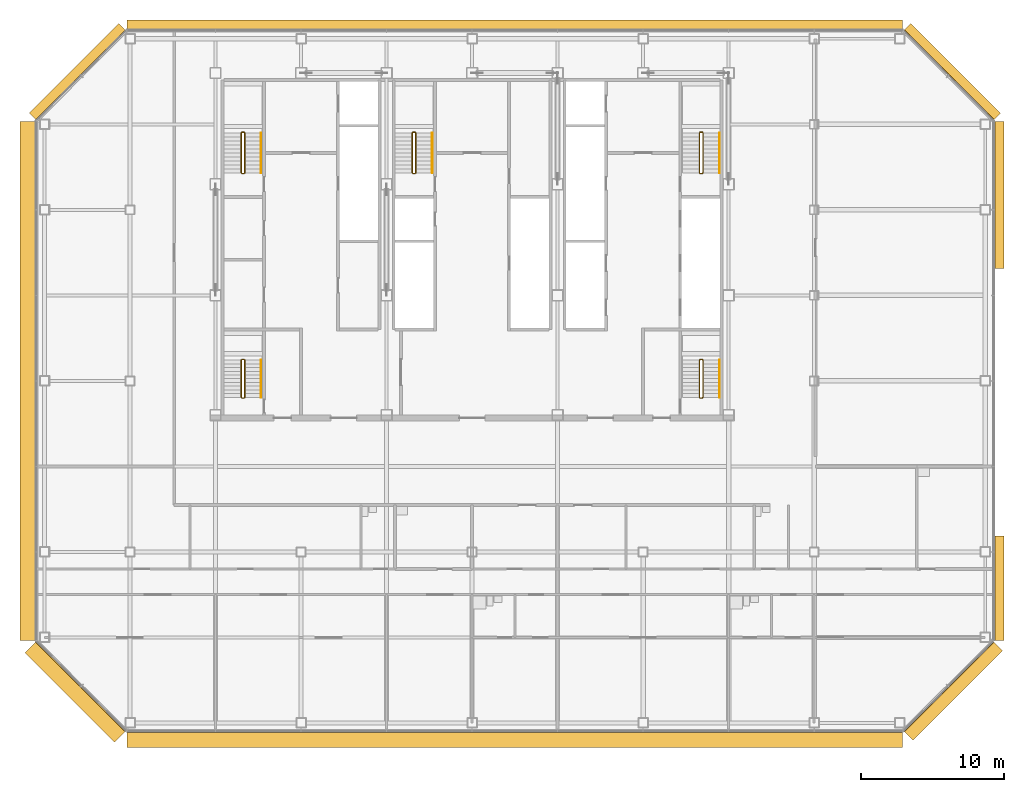
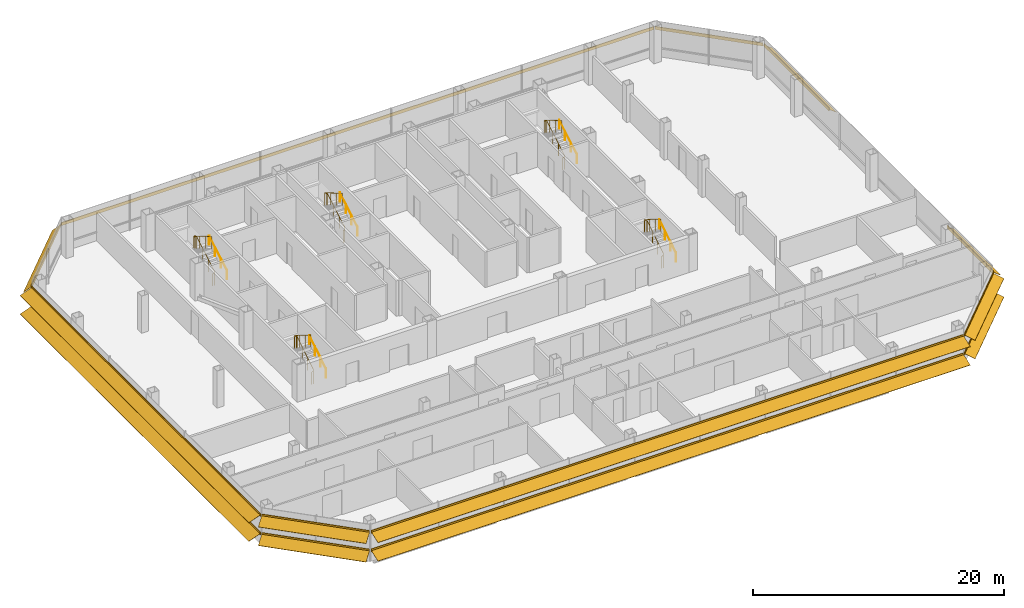
# One storey, part 23 of 24: 10 railings, 9 shading devices.
"""IFC4 building model written with IfcOpenShell, lengths in metres."""

from ifc_helpers import new_model, si_unit, direction, frame, origin, origin_2d, place, context, subcontext, project, spatial, polyline, circle, outline, composite_profile, extrude, material, type_object, element, save


model = new_model("IFC4")

# Units and contexts
model_context = context("Model", 3, precision=1e-05, world=origin(), true_north=direction((0.0, 1.0)))
body_context = subcontext(model_context, "Body", "Model", "MODEL_VIEW")
ifc_project = project(units=[si_unit("LENGTHUNIT", "METRE"), si_unit("AREAUNIT", "SQUARE_METRE"), si_unit("VOLUMEUNIT", "CUBIC_METRE"), si_unit("PLANEANGLEUNIT", "RADIAN"), si_unit("MASSUNIT", "GRAM", prefix="KILO")], contexts=[model_context])

# Site, building, storey
site_placement = place(None, origin())
site = spatial("IfcSite", under=ifc_project, at=site_placement, CompositionType="ELEMENT")
building_placement = place(site_placement, origin())
building = spatial("IfcBuilding", under=site, at=building_placement, Name="Sorahane Residences", CompositionType="ELEMENT")
storey_placement = place(building_placement, frame((0.0, 0.0, 170.800048828125)))
storey = spatial("IfcBuildingStorey", under=building, at=storey_placement, Name="L39", CompositionType="ELEMENT", Elevation=170.800048828125)

# Shading devices
ifc_material_1 = material(Name="Terracotta anodised aluminium", Category="masonry")
shading_device_type_1 = type_object("IfcShadingDeviceType", Name="Louvre sunshade blade E terracotta aluminium 700", PredefinedType="JALOUSIE", material=ifc_material_1)
shading_device_1_placement = place(storey_placement, frame((60.60009765625, 5.801513671875, 2.699951171875), z_axis=(0.0, 1.0, 0.0), x_axis=(-1.0, 0.0, 0.0)))
element("IfcShadingDevice", 1, at=shading_device_1_placement, inside=storey, type_object=shading_device_type_1, Name="Louvre sunshade blade bank E L39 E1", PredefinedType="JALOUSIE", context=body_context, shape_type="SweptSolid", body=[
    extrude(outline(polyline([(-0.719970703125, -0.49365234375), (-0.719970703125, -0.523681640625), (-0.080078125, -0.05859375), (-0.080078125, -0.14990234375), (-0.02001953125, -0.14990234375), (-0.02001953125, -0.014892578125), (-0.02001953125, 0.014892578125), (-0.02001953125, 0.14990234375), (-0.080078125, 0.14990234375), (-0.080078125, -0.028564453125), (-0.719970703125, -0.49365234375)])), origin(), (0.0, 0.0, 1.0), 7.3291015625),
])
shading_device_2_placement = place(storey_placement, frame((60.60009765625, 31.869384765625, 2.699951171875), z_axis=(0.0, 1.0, 0.0), x_axis=(-1.0, 0.0, 0.0)))
element("IfcShadingDevice", 2, at=shading_device_2_placement, inside=storey, type_object=shading_device_type_1, Name="Louvre sunshade blade bank E L39 E1 part 2", PredefinedType="JALOUSIE", context=body_context, shape_type="SweptSolid", body=[
    extrude(outline(polyline([(-0.719970703125, -0.49365234375), (-0.719970703125, -0.523681640625), (-0.080078125, -0.05859375), (-0.080078125, -0.14990234375), (-0.02001953125, -0.14990234375), (-0.02001953125, -0.014892578125), (-0.02001953125, 0.014892578125), (-0.02001953125, 0.14990234375), (-0.080078125, 0.14990234375), (-0.080078125, -0.028564453125), (-0.719970703125, -0.49365234375)])), origin(), (0.0, 0.0, 1.0), 10.3291015625),
])
ifc_material_2 = material(Name="Terracotta anodised aluminium", Category="masonry")
shading_device_type_2 = type_object("IfcShadingDeviceType", Name="Louvre sunshade blade N terracotta aluminium 700", PredefinedType="JALOUSIE", material=ifc_material_2)
shading_device_3_placement = place(storey_placement, frame((54.198486328125, 48.60009765625, 2.699951171875), z_axis=(-1.0, 0.0, 0.0), x_axis=(0.0, -1.0, 0.0)))
element("IfcShadingDevice", 3, at=shading_device_3_placement, inside=storey, type_object=shading_device_type_2, Name="Louvre sunshade blade bank N L39 N1", PredefinedType="JALOUSIE", context=body_context, shape_type="SweptSolid", body=[
    extrude(outline(polyline([(-0.719970703125, -0.660888671875), (-0.719970703125, -0.69091796875), (-0.080078125, -0.072998046875), (-0.080078125, -0.14990234375), (-0.02001953125, -0.14990234375), (-0.02001953125, -0.014892578125), (-0.02001953125, 0.014892578125), (-0.02001953125, 0.14990234375), (-0.080078125, 0.14990234375), (-0.080078125, -0.04296875), (-0.719970703125, -0.660888671875)])), origin(), (0.0, 0.0, 1.0), 54.39697265625),
])
ifc_material_3 = material(Name="Terracotta anodised aluminium", Category="masonry")
shading_device_type_3 = type_object("IfcShadingDeviceType", Name="Louvre sunshade blade NE terracotta aluminium 700", PredefinedType="JALOUSIE", material=ifc_material_3)
shading_device_4_placement = place(storey_placement, frame((60.564697265625, 42.283935546875, 2.699951171875), z_axis=(-0.707106781187, 0.707106781187, 0.0), x_axis=(-0.707106781187, -0.707106781187, 0.0)))
element("IfcShadingDevice", 4, at=shading_device_4_placement, inside=storey, type_object=shading_device_type_3, Name="Louvre sunshade blade bank NE L39 NE1", PredefinedType="JALOUSIE", context=body_context, shape_type="SweptSolid", body=[
    extrude(outline(polyline([(-0.719970703125, -0.572509765625), (-0.719970703125, -0.602294921875), (-0.080078125, -0.065185546875), (-0.080078125, -0.14990234375), (-0.02001953125, -0.14990234375), (-0.02001953125, -0.014892578125), (-0.02001953125, 0.014892578125), (-0.02001953125, 0.14990234375), (-0.080078125, 0.14990234375), (-0.080078125, -0.035400390625), (-0.719970703125, -0.572509765625)])), origin(), (0.0, 0.0, 1.0), 8.88232421875),
])
ifc_material_4 = material(Name="Terracotta anodised aluminium", Category="masonry")
shading_device_type_4 = type_object("IfcShadingDeviceType", Name="Louvre sunshade blade NW terracotta aluminium 700", PredefinedType="JALOUSIE", material=ifc_material_4)
shading_device_5_placement = place(storey_placement, frame((-0.283935546875, 48.564697265625, 2.699951171875), z_axis=(-0.707106781187, -0.707106781187, 0.0), x_axis=(0.707106781187, -0.707106781187, 0.0)))
element("IfcShadingDevice", 5, at=shading_device_5_placement, inside=storey, type_object=shading_device_type_4, Name="Louvre sunshade blade bank NW L39 NW1", PredefinedType="JALOUSIE", context=body_context, shape_type="SweptSolid", body=[
    extrude(outline(polyline([(-0.719970703125, -0.660888671875), (-0.719970703125, -0.69091796875), (-0.080078125, -0.072998046875), (-0.080078125, -0.14990234375), (-0.02001953125, -0.14990234375), (-0.02001953125, -0.014892578125), (-0.02001953125, 0.014892578125), (-0.02001953125, 0.14990234375), (-0.080078125, 0.14990234375), (-0.080078125, -0.04296875), (-0.719970703125, -0.660888671875)])), origin(), (0.0, 0.0, 1.0), 8.88232421875),
])
ifc_material_5 = material(Name="Terracotta anodised aluminium", Category="masonry")
shading_device_type_5 = type_object("IfcShadingDeviceType", Name="Louvre sunshade blade S terracotta aluminium 1100", PredefinedType="JALOUSIE", material=ifc_material_5)
shading_device_6_placement = place(storey_placement, frame((-0.198486328125, -0.60009765625, 0.89990234375), z_axis=(1.0, 0.0, 0.0), x_axis=(0.0, 1.0, 0.0)))
element("IfcShadingDevice", 6, at=shading_device_6_placement, inside=storey, type_object=shading_device_type_5, Name="Louvre sunshade blade bank S L39 S1", PredefinedType="JALOUSIE", context=body_context, shape_type="SweptSolid", body=[
    extrude(composite_profile([outline(polyline([(-1.1201171875, -0.385498046875), (-1.1201171875, -0.415283203125), (-0.080078125, -0.036865234375), (-0.080078125, -0.14990234375), (-0.02001953125, -0.14990234375), (-0.02001953125, -0.014892578125), (-0.02001953125, 0.014892578125), (-0.02001953125, 0.14990234375), (-0.080078125, 0.14990234375), (-0.080078125, -0.0068359375), (-1.1201171875, -0.385498046875)])), outline(polyline([(-1.1201171875, 1.41455078125), (-1.1201171875, 1.384521484375), (-0.080078125, 1.76318359375), (-0.080078125, 1.64990234375), (-0.02001953125, 1.64990234375), (-0.02001953125, 1.784912109375), (-0.02001953125, 1.81494140625), (-0.02001953125, 1.949951171875), (-0.080078125, 1.949951171875), (-0.080078125, 1.793212890625), (-1.1201171875, 1.41455078125)]))]), origin(), (0.0, 0.0, 1.0), 54.39697265625),
])
ifc_material_6 = material(Name="Terracotta anodised aluminium", Category="masonry")
shading_device_type_6 = type_object("IfcShadingDeviceType", Name="Louvre sunshade blade SE terracotta aluminium 900", PredefinedType="JALOUSIE", material=ifc_material_6)
shading_device_7_placement = place(storey_placement, frame((54.283935546875, -0.564697265625, 0.89990234375), z_axis=(0.707106781187, 0.707106781187, 0.0), x_axis=(-0.707106781187, 0.707106781187, 0.0)))
element("IfcShadingDevice", 7, at=shading_device_7_placement, inside=storey, type_object=shading_device_type_6, Name="Louvre sunshade blade bank SE L39 SE1", PredefinedType="JALOUSIE", context=body_context, shape_type="SweptSolid", body=[
    extrude(composite_profile([outline(polyline([(-0.919921875, -0.3486328125), (-0.919921875, -0.378662109375), (-0.080078125, -0.039306640625), (-0.080078125, -0.14990234375), (-0.02001953125, -0.14990234375), (-0.02001953125, -0.014892578125), (-0.02001953125, 0.014892578125), (-0.02001953125, 0.14990234375), (-0.080078125, 0.14990234375), (-0.080078125, -0.00927734375), (-0.919921875, -0.3486328125)])), outline(polyline([(-0.919921875, 1.451416015625), (-0.919921875, 1.42138671875), (-0.080078125, 1.7607421875), (-0.080078125, 1.64990234375), (-0.02001953125, 1.64990234375), (-0.02001953125, 1.784912109375), (-0.02001953125, 1.81494140625), (-0.02001953125, 1.949951171875), (-0.080078125, 1.949951171875), (-0.080078125, 1.790771484375), (-0.919921875, 1.451416015625)]))]), origin(), (0.0, 0.0, 1.0), 8.88232421875),
])
ifc_material_7 = material(Name="Terracotta anodised aluminium", Category="masonry")
shading_device_type_7 = type_object("IfcShadingDeviceType", Name="Louvre sunshade blade SW terracotta aluminium 1100", PredefinedType="JALOUSIE", material=ifc_material_7)
shading_device_8_placement = place(storey_placement, frame((-6.564697265625, 5.716064453125, 0.89990234375), z_axis=(0.707106781187, -0.707106781187, 0.0), x_axis=(0.707106781187, 0.707106781187, 0.0)))
element("IfcShadingDevice", 8, at=shading_device_8_placement, inside=storey, type_object=shading_device_type_7, Name="Louvre sunshade blade bank SW L39 SW1", PredefinedType="JALOUSIE", context=body_context, shape_type="SweptSolid", body=[
    extrude(composite_profile([outline(polyline([(-1.1201171875, -0.385498046875), (-1.1201171875, -0.415283203125), (-0.080078125, -0.036865234375), (-0.080078125, -0.14990234375), (-0.02001953125, -0.14990234375), (-0.02001953125, -0.014892578125), (-0.02001953125, 0.014892578125), (-0.02001953125, 0.14990234375), (-0.080078125, 0.14990234375), (-0.080078125, -0.0068359375), (-1.1201171875, -0.385498046875)])), outline(polyline([(-1.1201171875, 1.41455078125), (-1.1201171875, 1.384521484375), (-0.080078125, 1.76318359375), (-0.080078125, 1.64990234375), (-0.02001953125, 1.64990234375), (-0.02001953125, 1.784912109375), (-0.02001953125, 1.81494140625), (-0.02001953125, 1.949951171875), (-0.080078125, 1.949951171875), (-0.080078125, 1.793212890625), (-1.1201171875, 1.41455078125)]))]), origin(), (0.0, 0.0, 1.0), 8.88232421875),
])
ifc_material_8 = material(Name="Terracotta anodised aluminium", Category="masonry")
shading_device_type_8 = type_object("IfcShadingDeviceType", Name="Louvre sunshade blade W terracotta aluminium 1100", PredefinedType="JALOUSIE", material=ifc_material_8)
shading_device_9_placement = place(storey_placement, frame((-6.60009765625, 42.198486328125, 0.89990234375), z_axis=(0.0, -1.0, 0.0), x_axis=(1.0, 0.0, 0.0)))
element("IfcShadingDevice", 9, at=shading_device_9_placement, inside=storey, type_object=shading_device_type_8, Name="Louvre sunshade blade bank W L39 W1", PredefinedType="JALOUSIE", context=body_context, shape_type="SweptSolid", body=[
    extrude(composite_profile([outline(polyline([(-1.1201171875, -0.385498046875), (-1.1201171875, -0.415283203125), (-0.080078125, -0.036865234375), (-0.080078125, -0.14990234375), (-0.02001953125, -0.14990234375), (-0.02001953125, -0.014892578125), (-0.02001953125, 0.014892578125), (-0.02001953125, 0.14990234375), (-0.080078125, 0.14990234375), (-0.080078125, -0.0068359375), (-1.1201171875, -0.385498046875)])), outline(polyline([(-1.1201171875, 1.41455078125), (-1.1201171875, 1.384521484375), (-0.080078125, 1.76318359375), (-0.080078125, 1.64990234375), (-0.02001953125, 1.64990234375), (-0.02001953125, 1.784912109375), (-0.02001953125, 1.81494140625), (-0.02001953125, 1.949951171875), (-0.080078125, 1.949951171875), (-0.080078125, 1.793212890625), (-1.1201171875, 1.41455078125)]))]), origin(), (0.0, 0.0, 1.0), 36.39697265625),
])

# Railings
ifc_material_9 = material(Name="Steel Q355B", Category="steel")
railing_type_1 = type_object("IfcRailingType", Name="Stair guard 1200 Steel Q355B", PredefinedType="GUARDRAIL", material=ifc_material_9)
railing_1_placement = place(storey_placement, frame((7.85009765625, 38.550048828125, 0.0)))
element("IfcRailing", 10, at=railing_1_placement, inside=storey, type_object=railing_type_1, Name="L39 S1 stair guard 1", PredefinedType="GUARDRAIL", context=body_context, shape_type="SweptSolid", body=[
    extrude(circle(Radius=0.02392578125, at=origin_2d()), frame((0.0, 0.0, 1.17578125), z_axis=(1.0, 0.0, 0.0), x_axis=(0.0, 1.0, 0.0)), (0.0, 0.0, 1.0), 0.14990234375),
    extrude(circle(Radius=0.02392578125, at=origin_2d()), frame((0.14990234375, 0.0, 1.17578125), z_axis=(0.280808744504, 0.280808744504, 0.917765164963), x_axis=(-0.707106781187, 0.707106781187, 0.0)), (0.0, 0.0, 1.0), 0.17822265625),
    extrude(circle(Radius=0.02392578125, at=origin_2d()), frame((0.199951171875, 0.050048828125, 1.33935546875), z_axis=(0.0, 0.863341702679, 0.504619762213), x_axis=(-1.0, 0.0, 0.0)), (0.0, 0.0, 1.0), 3.242919921875),
    extrude(circle(Radius=0.02392578125, at=origin_2d()), frame((0.199951171875, 2.849853515625, 2.97607421875), z_axis=(-0.707106781187, 0.707106781187, 0.0), x_axis=(-0.707106781187, -0.707106781187, 0.0)), (0.0, 0.0, 1.0), 0.07080078125),
    extrude(circle(Radius=0.02392578125, at=origin_2d()), frame((0.14990234375, 2.89990234375, 2.97607421875), z_axis=(-1.0, 0.0, 0.0), x_axis=(0.0, -1.0, 0.0)), (0.0, 0.0, 1.0), 0.14990234375),
    extrude(circle(Radius=0.02392578125, at=origin_2d()), frame((0.0, 2.89990234375, 2.97607421875), z_axis=(-0.280808744504, -0.280808744504, 0.917765164963), x_axis=(0.707106781187, -0.707106781187, 0.0)), (0.0, 0.0, 1.0), 0.17822265625),
    extrude(circle(Radius=0.02392578125, at=origin_2d()), frame((-0.050048828125, 2.849853515625, 3.1396484375), z_axis=(0.0, -0.863374499697, 0.504563646405), x_axis=(1.0, 0.0, 0.0)), (0.0, 0.0, 1.0), 3.242919921875),
    extrude(circle(Radius=0.02099609375, at=origin_2d()), origin(), (0.0, 0.0, 1.0), 1.15185546875),
    extrude(circle(Radius=0.02099609375, at=origin_2d()), frame((0.14990234375, 0.0, 0.0)), (0.0, 0.0, 1.0), 1.15185546875),
    extrude(circle(Radius=0.02099609375, at=origin_2d()), frame((0.199951171875, 0.050048828125, 0.16357421875)), (0.0, 0.0, 1.0), 1.15185546875),
    extrude(circle(Radius=0.02099609375, at=origin_2d()), frame((0.199951171875, 0.9833984375, 0.708984375)), (0.0, 0.0, 1.0), 1.15185546875),
    extrude(circle(Radius=0.02099609375, at=origin_2d()), frame((0.199951171875, 1.91650390625, 1.254638671875)), (0.0, 0.0, 1.0), 1.15185546875),
    extrude(circle(Radius=0.02099609375, at=origin_2d()), frame((0.199951171875, 2.849853515625, 1.800048828125)), (0.0, 0.0, 1.0), 1.15185546875),
    extrude(circle(Radius=0.02099609375, at=origin_2d()), frame((0.14990234375, 2.89990234375, 1.800048828125)), (0.0, 0.0, 1.0), 1.15185546875),
    extrude(circle(Radius=0.02099609375, at=origin_2d()), frame((0.0, 2.89990234375, 1.800048828125)), (0.0, 0.0, 1.0), 1.15185546875),
    extrude(circle(Radius=0.02099609375, at=origin_2d()), frame((-0.050048828125, 2.849853515625, 1.963623046875)), (0.0, 0.0, 1.0), 1.15185546875),
    extrude(circle(Radius=0.02099609375, at=origin_2d()), frame((-0.050048828125, 1.91650390625, 2.509033203125)), (0.0, 0.0, 1.0), 1.15185546875),
    extrude(circle(Radius=0.02099609375, at=origin_2d()), frame((-0.050048828125, 0.9833984375, 3.054443359375)), (0.0, 0.0, 1.0), 1.15185546875),
    extrude(circle(Radius=0.02099609375, at=origin_2d()), frame((-0.050048828125, 0.050048828125, 3.599853515625)), (0.0, 0.0, 1.0), 1.15185546875),
])
railing_2_placement = place(storey_placement, frame((40.0, 38.550048828125, 0.0)))
element("IfcRailing", 11, at=railing_2_placement, inside=storey, type_object=railing_type_1, Name="L39 S2 stair guard 1", PredefinedType="GUARDRAIL", context=body_context, shape_type="SweptSolid", body=[
    extrude(circle(Radius=0.02392578125, at=origin_2d()), frame((0.0, 0.0, 1.17578125), z_axis=(1.0, 0.0, 0.0), x_axis=(0.0, 1.0, 0.0)), (0.0, 0.0, 1.0), 0.14990234375),
    extrude(circle(Radius=0.02392578125, at=origin_2d()), frame((0.14990234375, 0.0, 1.17578125), z_axis=(0.280808744504, 0.280808744504, 0.917765164963), x_axis=(-0.707106781187, 0.707106781187, 0.0)), (0.0, 0.0, 1.0), 0.17822265625),
    extrude(circle(Radius=0.02392578125, at=origin_2d()), frame((0.199951171875, 0.050048828125, 1.33935546875), z_axis=(0.0, 0.863341702679, 0.504619762213), x_axis=(-1.0, 0.0, 0.0)), (0.0, 0.0, 1.0), 3.242919921875),
    extrude(circle(Radius=0.02392578125, at=origin_2d()), frame((0.199951171875, 2.849853515625, 2.97607421875), z_axis=(-0.707106781187, 0.707106781187, 0.0), x_axis=(-0.707106781187, -0.707106781187, 0.0)), (0.0, 0.0, 1.0), 0.07080078125),
    extrude(circle(Radius=0.02392578125, at=origin_2d()), frame((0.14990234375, 2.89990234375, 2.97607421875), z_axis=(-1.0, 0.0, 0.0), x_axis=(0.0, -1.0, 0.0)), (0.0, 0.0, 1.0), 0.14990234375),
    extrude(circle(Radius=0.02392578125, at=origin_2d()), frame((0.0, 2.89990234375, 2.97607421875), z_axis=(-0.280808744504, -0.280808744504, 0.917765164963), x_axis=(0.707106781187, -0.707106781187, 0.0)), (0.0, 0.0, 1.0), 0.17822265625),
    extrude(circle(Radius=0.02392578125, at=origin_2d()), frame((-0.050048828125, 2.849853515625, 3.1396484375), z_axis=(0.0, -0.863374499697, 0.504563646405), x_axis=(1.0, 0.0, 0.0)), (0.0, 0.0, 1.0), 3.242919921875),
    extrude(circle(Radius=0.02099609375, at=origin_2d()), origin(), (0.0, 0.0, 1.0), 1.15185546875),
    extrude(circle(Radius=0.02099609375, at=origin_2d()), frame((0.14990234375, 0.0, 0.0)), (0.0, 0.0, 1.0), 1.15185546875),
    extrude(circle(Radius=0.02099609375, at=origin_2d()), frame((0.199951171875, 0.050048828125, 0.16357421875)), (0.0, 0.0, 1.0), 1.15185546875),
    extrude(circle(Radius=0.02099609375, at=origin_2d()), frame((0.199951171875, 0.9833984375, 0.708984375)), (0.0, 0.0, 1.0), 1.15185546875),
    extrude(circle(Radius=0.02099609375, at=origin_2d()), frame((0.199951171875, 1.91650390625, 1.254638671875)), (0.0, 0.0, 1.0), 1.15185546875),
    extrude(circle(Radius=0.02099609375, at=origin_2d()), frame((0.199951171875, 2.849853515625, 1.800048828125)), (0.0, 0.0, 1.0), 1.15185546875),
    extrude(circle(Radius=0.02099609375, at=origin_2d()), frame((0.14990234375, 2.89990234375, 1.800048828125)), (0.0, 0.0, 1.0), 1.15185546875),
    extrude(circle(Radius=0.02099609375, at=origin_2d()), frame((0.0, 2.89990234375, 1.800048828125)), (0.0, 0.0, 1.0), 1.15185546875),
    extrude(circle(Radius=0.02099609375, at=origin_2d()), frame((-0.050048828125, 2.849853515625, 1.963623046875)), (0.0, 0.0, 1.0), 1.15185546875),
    extrude(circle(Radius=0.02099609375, at=origin_2d()), frame((-0.050048828125, 1.91650390625, 2.509033203125)), (0.0, 0.0, 1.0), 1.15185546875),
    extrude(circle(Radius=0.02099609375, at=origin_2d()), frame((-0.050048828125, 0.9833984375, 3.054443359375)), (0.0, 0.0, 1.0), 1.15185546875),
    extrude(circle(Radius=0.02099609375, at=origin_2d()), frame((-0.050048828125, 0.050048828125, 3.599853515625)), (0.0, 0.0, 1.0), 1.15185546875),
])
railing_3_placement = place(storey_placement, frame((19.85009765625, 38.550048828125, 0.0)))
element("IfcRailing", 12, at=railing_3_placement, inside=storey, type_object=railing_type_1, Name="L39 S3 stair guard 1", PredefinedType="GUARDRAIL", context=body_context, shape_type="SweptSolid", body=[
    extrude(circle(Radius=0.02392578125, at=origin_2d()), frame((0.0, 0.0, 1.17578125), z_axis=(1.0, 0.0, 0.0), x_axis=(0.0, 1.0, 0.0)), (0.0, 0.0, 1.0), 0.14990234375),
    extrude(circle(Radius=0.02392578125, at=origin_2d()), frame((0.14990234375, 0.0, 1.17578125), z_axis=(0.280808744504, 0.280808744504, 0.917765164963), x_axis=(-0.707106781187, 0.707106781187, 0.0)), (0.0, 0.0, 1.0), 0.17822265625),
    extrude(circle(Radius=0.02392578125, at=origin_2d()), frame((0.199951171875, 0.050048828125, 1.33935546875), z_axis=(0.0, 0.863341702679, 0.504619762213), x_axis=(-1.0, 0.0, 0.0)), (0.0, 0.0, 1.0), 3.242919921875),
    extrude(circle(Radius=0.02392578125, at=origin_2d()), frame((0.199951171875, 2.849853515625, 2.97607421875), z_axis=(-0.707106781187, 0.707106781187, 0.0), x_axis=(-0.707106781187, -0.707106781187, 0.0)), (0.0, 0.0, 1.0), 0.07080078125),
    extrude(circle(Radius=0.02392578125, at=origin_2d()), frame((0.14990234375, 2.89990234375, 2.97607421875), z_axis=(-1.0, 0.0, 0.0), x_axis=(0.0, -1.0, 0.0)), (0.0, 0.0, 1.0), 0.14990234375),
    extrude(circle(Radius=0.02392578125, at=origin_2d()), frame((0.0, 2.89990234375, 2.97607421875), z_axis=(-0.280808744504, -0.280808744504, 0.917765164963), x_axis=(0.707106781187, -0.707106781187, 0.0)), (0.0, 0.0, 1.0), 0.17822265625),
    extrude(circle(Radius=0.02392578125, at=origin_2d()), frame((-0.050048828125, 2.849853515625, 3.1396484375), z_axis=(0.0, -0.863374499697, 0.504563646405), x_axis=(1.0, 0.0, 0.0)), (0.0, 0.0, 1.0), 3.242919921875),
    extrude(circle(Radius=0.02099609375, at=origin_2d()), origin(), (0.0, 0.0, 1.0), 1.15185546875),
    extrude(circle(Radius=0.02099609375, at=origin_2d()), frame((0.14990234375, 0.0, 0.0)), (0.0, 0.0, 1.0), 1.15185546875),
    extrude(circle(Radius=0.02099609375, at=origin_2d()), frame((0.199951171875, 0.050048828125, 0.16357421875)), (0.0, 0.0, 1.0), 1.15185546875),
    extrude(circle(Radius=0.02099609375, at=origin_2d()), frame((0.199951171875, 0.9833984375, 0.708984375)), (0.0, 0.0, 1.0), 1.15185546875),
    extrude(circle(Radius=0.02099609375, at=origin_2d()), frame((0.199951171875, 1.91650390625, 1.254638671875)), (0.0, 0.0, 1.0), 1.15185546875),
    extrude(circle(Radius=0.02099609375, at=origin_2d()), frame((0.199951171875, 2.849853515625, 1.800048828125)), (0.0, 0.0, 1.0), 1.15185546875),
    extrude(circle(Radius=0.02099609375, at=origin_2d()), frame((0.14990234375, 2.89990234375, 1.800048828125)), (0.0, 0.0, 1.0), 1.15185546875),
    extrude(circle(Radius=0.02099609375, at=origin_2d()), frame((0.0, 2.89990234375, 1.800048828125)), (0.0, 0.0, 1.0), 1.15185546875),
    extrude(circle(Radius=0.02099609375, at=origin_2d()), frame((-0.050048828125, 2.849853515625, 1.963623046875)), (0.0, 0.0, 1.0), 1.15185546875),
    extrude(circle(Radius=0.02099609375, at=origin_2d()), frame((-0.050048828125, 1.91650390625, 2.509033203125)), (0.0, 0.0, 1.0), 1.15185546875),
    extrude(circle(Radius=0.02099609375, at=origin_2d()), frame((-0.050048828125, 0.9833984375, 3.054443359375)), (0.0, 0.0, 1.0), 1.15185546875),
    extrude(circle(Radius=0.02099609375, at=origin_2d()), frame((-0.050048828125, 0.050048828125, 3.599853515625)), (0.0, 0.0, 1.0), 1.15185546875),
])
railing_4_placement = place(storey_placement, frame((7.85009765625, 22.800048828125, 0.0)))
element("IfcRailing", 13, at=railing_4_placement, inside=storey, type_object=railing_type_1, Name="L39 S4 stair guard 1", PredefinedType="GUARDRAIL", context=body_context, shape_type="SweptSolid", body=[
    extrude(circle(Radius=0.02392578125, at=origin_2d()), frame((0.0, 0.0, 1.17578125), z_axis=(1.0, 0.0, 0.0), x_axis=(0.0, 1.0, 0.0)), (0.0, 0.0, 1.0), 0.14990234375),
    extrude(circle(Radius=0.02392578125, at=origin_2d()), frame((0.14990234375, 0.0, 1.17578125), z_axis=(0.280808744504, 0.280808744504, 0.917765164963), x_axis=(-0.707106781187, 0.707106781187, 0.0)), (0.0, 0.0, 1.0), 0.17822265625),
    extrude(circle(Radius=0.02392578125, at=origin_2d()), frame((0.199951171875, 0.050048828125, 1.33935546875), z_axis=(0.0, 0.846301844409, 0.532703658848), x_axis=(-1.0, 0.0, 0.0)), (0.0, 0.0, 1.0), 3.072021484375),
    extrude(circle(Radius=0.02392578125, at=origin_2d()), frame((0.199951171875, 2.64990234375, 2.97607421875), z_axis=(-0.707106781187, 0.707106781187, 0.0), x_axis=(-0.707106781187, -0.707106781187, 0.0)), (0.0, 0.0, 1.0), 0.07080078125),
    extrude(circle(Radius=0.02392578125, at=origin_2d()), frame((0.14990234375, 2.699951171875, 2.97607421875), z_axis=(-1.0, 0.0, 0.0), x_axis=(0.0, -1.0, 0.0)), (0.0, 0.0, 1.0), 0.14990234375),
    extrude(circle(Radius=0.02392578125, at=origin_2d()), frame((0.0, 2.699951171875, 2.97607421875), z_axis=(-0.280808744504, -0.280808744504, 0.917765164963), x_axis=(0.707106781187, -0.707106781187, 0.0)), (0.0, 0.0, 1.0), 0.17822265625),
    extrude(circle(Radius=0.02392578125, at=origin_2d()), frame((-0.050048828125, 2.64990234375, 3.1396484375), z_axis=(0.0, -0.846337672412, 0.532646734952), x_axis=(1.0, 0.0, 0.0)), (0.0, 0.0, 1.0), 3.07177734375),
    extrude(circle(Radius=0.02099609375, at=origin_2d()), origin(), (0.0, 0.0, 1.0), 1.15185546875),
    extrude(circle(Radius=0.02099609375, at=origin_2d()), frame((0.14990234375, 0.0, 0.0)), (0.0, 0.0, 1.0), 1.15185546875),
    extrude(circle(Radius=0.02099609375, at=origin_2d()), frame((0.199951171875, 0.050048828125, 0.16357421875)), (0.0, 0.0, 1.0), 1.15185546875),
    extrude(circle(Radius=0.02099609375, at=origin_2d()), frame((0.199951171875, 0.916748046875, 0.708984375)), (0.0, 0.0, 1.0), 1.15185546875),
    extrude(circle(Radius=0.02099609375, at=origin_2d()), frame((0.199951171875, 1.783203125, 1.254638671875)), (0.0, 0.0, 1.0), 1.15185546875),
    extrude(circle(Radius=0.02099609375, at=origin_2d()), frame((0.199951171875, 2.64990234375, 1.800048828125)), (0.0, 0.0, 1.0), 1.15185546875),
    extrude(circle(Radius=0.02099609375, at=origin_2d()), frame((0.14990234375, 2.699951171875, 1.800048828125)), (0.0, 0.0, 1.0), 1.15185546875),
    extrude(circle(Radius=0.02099609375, at=origin_2d()), frame((0.0, 2.699951171875, 1.800048828125)), (0.0, 0.0, 1.0), 1.15185546875),
    extrude(circle(Radius=0.02099609375, at=origin_2d()), frame((-0.050048828125, 2.64990234375, 1.963623046875)), (0.0, 0.0, 1.0), 1.15185546875),
    extrude(circle(Radius=0.02099609375, at=origin_2d()), frame((-0.050048828125, 1.783203125, 2.509033203125)), (0.0, 0.0, 1.0), 1.15185546875),
    extrude(circle(Radius=0.02099609375, at=origin_2d()), frame((-0.050048828125, 0.916748046875, 3.054443359375)), (0.0, 0.0, 1.0), 1.15185546875),
    extrude(circle(Radius=0.02099609375, at=origin_2d()), frame((-0.050048828125, 0.050048828125, 3.599853515625)), (0.0, 0.0, 1.0), 1.15185546875),
])
railing_5_placement = place(storey_placement, frame((40.0, 22.800048828125, 0.0)))
element("IfcRailing", 14, at=railing_5_placement, inside=storey, type_object=railing_type_1, Name="L39 S5 stair guard 1", PredefinedType="GUARDRAIL", context=body_context, shape_type="SweptSolid", body=[
    extrude(circle(Radius=0.02392578125, at=origin_2d()), frame((0.0, 0.0, 1.17578125), z_axis=(1.0, 0.0, 0.0), x_axis=(0.0, 1.0, 0.0)), (0.0, 0.0, 1.0), 0.14990234375),
    extrude(circle(Radius=0.02392578125, at=origin_2d()), frame((0.14990234375, 0.0, 1.17578125), z_axis=(0.280808744504, 0.280808744504, 0.917765164963), x_axis=(-0.707106781187, 0.707106781187, 0.0)), (0.0, 0.0, 1.0), 0.17822265625),
    extrude(circle(Radius=0.02392578125, at=origin_2d()), frame((0.199951171875, 0.050048828125, 1.33935546875), z_axis=(0.0, 0.846301844409, 0.532703658848), x_axis=(-1.0, 0.0, 0.0)), (0.0, 0.0, 1.0), 3.072021484375),
    extrude(circle(Radius=0.02392578125, at=origin_2d()), frame((0.199951171875, 2.64990234375, 2.97607421875), z_axis=(-0.707106781187, 0.707106781187, 0.0), x_axis=(-0.707106781187, -0.707106781187, 0.0)), (0.0, 0.0, 1.0), 0.07080078125),
    extrude(circle(Radius=0.02392578125, at=origin_2d()), frame((0.14990234375, 2.699951171875, 2.97607421875), z_axis=(-1.0, 0.0, 0.0), x_axis=(0.0, -1.0, 0.0)), (0.0, 0.0, 1.0), 0.14990234375),
    extrude(circle(Radius=0.02392578125, at=origin_2d()), frame((0.0, 2.699951171875, 2.97607421875), z_axis=(-0.280808744504, -0.280808744504, 0.917765164963), x_axis=(0.707106781187, -0.707106781187, 0.0)), (0.0, 0.0, 1.0), 0.17822265625),
    extrude(circle(Radius=0.02392578125, at=origin_2d()), frame((-0.050048828125, 2.64990234375, 3.1396484375), z_axis=(0.0, -0.846337672412, 0.532646734952), x_axis=(1.0, 0.0, 0.0)), (0.0, 0.0, 1.0), 3.07177734375),
    extrude(circle(Radius=0.02099609375, at=origin_2d()), origin(), (0.0, 0.0, 1.0), 1.15185546875),
    extrude(circle(Radius=0.02099609375, at=origin_2d()), frame((0.14990234375, 0.0, 0.0)), (0.0, 0.0, 1.0), 1.15185546875),
    extrude(circle(Radius=0.02099609375, at=origin_2d()), frame((0.199951171875, 0.050048828125, 0.16357421875)), (0.0, 0.0, 1.0), 1.15185546875),
    extrude(circle(Radius=0.02099609375, at=origin_2d()), frame((0.199951171875, 0.916748046875, 0.708984375)), (0.0, 0.0, 1.0), 1.15185546875),
    extrude(circle(Radius=0.02099609375, at=origin_2d()), frame((0.199951171875, 1.783203125, 1.254638671875)), (0.0, 0.0, 1.0), 1.15185546875),
    extrude(circle(Radius=0.02099609375, at=origin_2d()), frame((0.199951171875, 2.64990234375, 1.800048828125)), (0.0, 0.0, 1.0), 1.15185546875),
    extrude(circle(Radius=0.02099609375, at=origin_2d()), frame((0.14990234375, 2.699951171875, 1.800048828125)), (0.0, 0.0, 1.0), 1.15185546875),
    extrude(circle(Radius=0.02099609375, at=origin_2d()), frame((0.0, 2.699951171875, 1.800048828125)), (0.0, 0.0, 1.0), 1.15185546875),
    extrude(circle(Radius=0.02099609375, at=origin_2d()), frame((-0.050048828125, 2.64990234375, 1.963623046875)), (0.0, 0.0, 1.0), 1.15185546875),
    extrude(circle(Radius=0.02099609375, at=origin_2d()), frame((-0.050048828125, 1.783203125, 2.509033203125)), (0.0, 0.0, 1.0), 1.15185546875),
    extrude(circle(Radius=0.02099609375, at=origin_2d()), frame((-0.050048828125, 0.916748046875, 3.054443359375)), (0.0, 0.0, 1.0), 1.15185546875),
    extrude(circle(Radius=0.02099609375, at=origin_2d()), frame((-0.050048828125, 0.050048828125, 3.599853515625)), (0.0, 0.0, 1.0), 1.15185546875),
])
ifc_material_10 = material(Name="Steel Q355B", Category="steel")
railing_type_2 = type_object("IfcRailingType", Name="Stair handrail 900 Steel Q355B", PredefinedType="HANDRAIL", material=ifc_material_10)
for number, where, name in (
    (15, (9.199951171875, 38.60009765625, 0.16357421875), "L39 S1 stair handrail 1"),
    (16, (41.35009765625, 38.60009765625, 0.16357421875), "L39 S2 stair handrail 1"),
    (17, (21.199951171875, 38.60009765625, 0.16357421875), "L39 S3 stair handrail 1"),
):
    element("IfcRailing", number, at=place(storey_placement, frame(where)), inside=storey, type_object=railing_type_2, Name=name, PredefinedType="HANDRAIL", context=body_context, shape_type="SweptSolid", body=[
        extrude(circle(Radius=0.02392578125, at=origin_2d()), frame((0.0, 0.0, 0.8759765625), z_axis=(0.0, 0.863341702679, 0.504619762213), x_axis=(-1.0, 0.0, 0.0)), (0.0, 0.0, 1.0), 3.242919921875),
        extrude(circle(Radius=0.02099609375, at=origin_2d()), origin(), (0.0, 0.0, 1.0), 0.851806640625),
        extrude(circle(Radius=0.02099609375, at=origin_2d()), frame((0.0, 0.933349609375, 0.54541015625)), (0.0, 0.0, 1.0), 0.851806640625),
        extrude(circle(Radius=0.02099609375, at=origin_2d()), frame((0.0, 1.866455078125, 1.091064453125)), (0.0, 0.0, 1.0), 0.851806640625),
        extrude(circle(Radius=0.02099609375, at=origin_2d()), frame((0.0, 2.7998046875, 1.636474609375)), (0.0, 0.0, 1.0), 0.851806640625),
    ])
for number, where, name in (
    (18, (9.199951171875, 22.85009765625, 0.16357421875), "L39 S4 stair handrail 1"),
    (19, (41.35009765625, 22.85009765625, 0.16357421875), "L39 S5 stair handrail 1"),
):
    element("IfcRailing", number, at=place(storey_placement, frame(where)), inside=storey, type_object=railing_type_2, Name=name, PredefinedType="HANDRAIL", context=body_context, shape_type="SweptSolid", body=[
        extrude(circle(Radius=0.02392578125, at=origin_2d()), frame((0.0, 0.0, 0.8759765625), z_axis=(0.0, 0.846301844409, 0.532703658848), x_axis=(-1.0, 0.0, 0.0)), (0.0, 0.0, 1.0), 3.072021484375),
        extrude(circle(Radius=0.02099609375, at=origin_2d()), origin(), (0.0, 0.0, 1.0), 0.851806640625),
        extrude(circle(Radius=0.02099609375, at=origin_2d()), frame((0.0, 0.86669921875, 0.54541015625)), (0.0, 0.0, 1.0), 0.851806640625),
        extrude(circle(Radius=0.02099609375, at=origin_2d()), frame((0.0, 1.733154296875, 1.091064453125)), (0.0, 0.0, 1.0), 0.851806640625),
        extrude(circle(Radius=0.02099609375, at=origin_2d()), frame((0.0, 2.599853515625, 1.636474609375)), (0.0, 0.0, 1.0), 0.851806640625),
    ])

save(model, "model.ifc")
